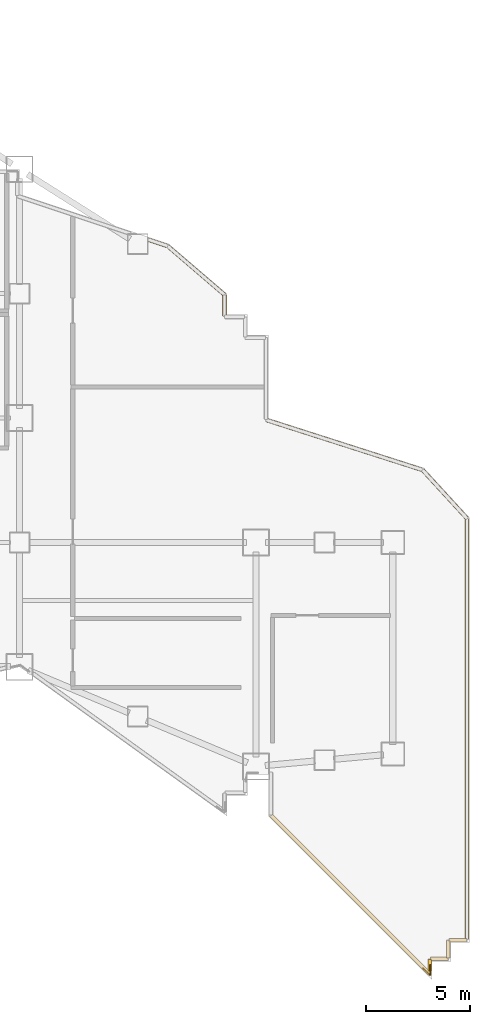
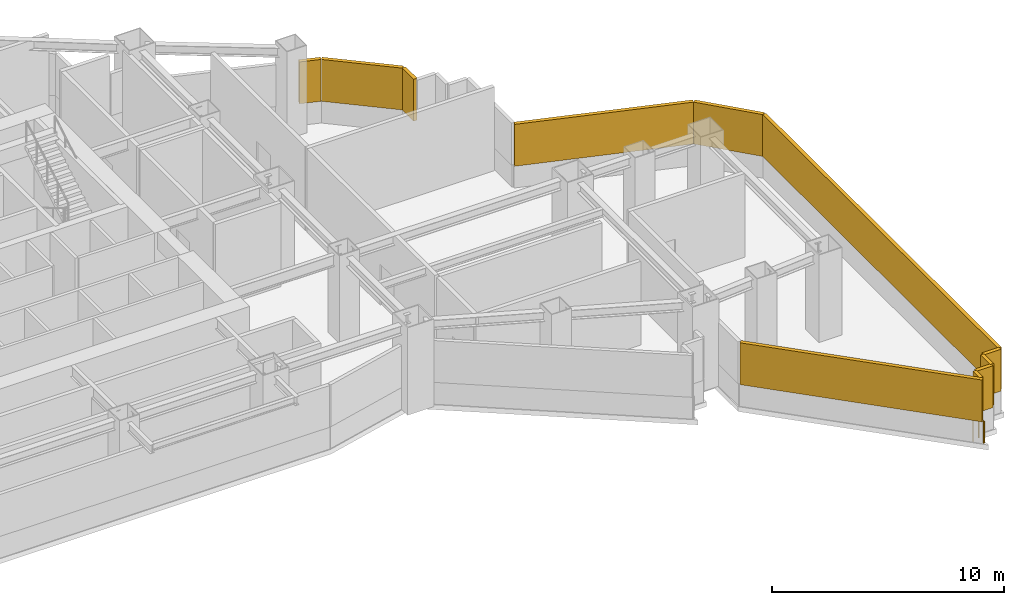
# One storey, part 12 of 12: 11 shading devices, 2 railings.
"""IFC4 building model written with IfcOpenShell, lengths in metres."""

from ifc_helpers import new_model, si_unit, direction, frame, origin, origin_2d, place, context, subcontext, project, spatial, rectangle, circle, extrude, material, type_object, element, save


model = new_model("IFC4")

# Units and contexts
model_context = context("Model", 3, precision=1e-05, world=origin(), true_north=direction((0.0, 1.0)))
body_context = subcontext(model_context, "Body", "Model", "MODEL_VIEW")
ifc_project = project(units=[si_unit("LENGTHUNIT", "METRE"), si_unit("AREAUNIT", "SQUARE_METRE"), si_unit("VOLUMEUNIT", "CUBIC_METRE"), si_unit("PLANEANGLEUNIT", "RADIAN"), si_unit("MASSUNIT", "GRAM", prefix="KILO")], contexts=[model_context])

# Site, building, storey
site_placement = place(None, origin())
site = spatial("IfcSite", under=ifc_project, at=site_placement, CompositionType="ELEMENT")
building_placement = place(site_placement, origin())
building = spatial("IfcBuilding", under=site, at=building_placement, Name="Haolan Belvedere Tower", CompositionType="ELEMENT")
storey_placement = place(building_placement, frame((0.0, 0.0, 43.0)))
storey = spatial("IfcBuildingStorey", under=building, at=storey_placement, Name="L10", CompositionType="ELEMENT", Elevation=43.0)

# Railings
ifc_material_1 = material(Name="Galvanised powder-coated steel guardrail", Category="steel")
railing_type = type_object("IfcRailingType", Name="RL-REF-GRD-1150", PredefinedType="GUARDRAIL", material=ifc_material_1)
railing_1_placement = place(storey_placement, frame((72.610107421875, 7.21240234375, 0.0)))
element("IfcRailing", 1, at=railing_1_placement, inside=storey, type_object=railing_type, Name="L10 refuge corner safety guardrail 8A", PredefinedType="GUARDRAIL", context=body_context, shape_type="SweptSolid", body=[
    extrude(circle(Radius=0.02392578125, at=origin_2d()), frame((0.0, 0.0, 1.1259765625), z_axis=(0.0, -1.0, 0.0), x_axis=(1.0, 0.0, 0.0)), (0.0, 0.0, 1.0), 0.469970703125),
    extrude(circle(Radius=0.02099609375, at=origin_2d()), origin(), (0.0, 0.0, 1.0), 1.101806640625),
    extrude(circle(Radius=0.02099609375, at=origin_2d()), frame((0.0, -0.469970703125, 0.0)), (0.0, 0.0, 1.0), 1.101806640625),
])
railing_2_placement = place(storey_placement, frame((72.5888671875, 6.733642578125, 0.0)))
element("IfcRailing", 2, at=railing_2_placement, inside=storey, type_object=railing_type, Name="L10 refuge corner safety guardrail 8B", PredefinedType="GUARDRAIL", context=body_context, shape_type="SweptSolid", body=[
    extrude(circle(Radius=0.02392578125, at=origin_2d()), frame((0.0, 0.0, 1.1259765625), z_axis=(-0.707106781187, 0.707106781187, 0.0), x_axis=(-0.707106781187, -0.707106781187, 0.0)), (0.0, 0.0, 1.0), 0.469970703125),
    extrude(circle(Radius=0.02099609375, at=origin_2d()), origin(), (0.0, 0.0, 1.0), 1.101806640625),
    extrude(circle(Radius=0.02099609375, at=origin_2d()), frame((-0.332275390625, 0.332275390625, 0.0)), (0.0, 0.0, 1.0), 1.101806640625),
])

# Shading devices
ifc_material_2 = material(Name="Anodised champagne-silver aluminium 6063-T6", Category="aluminium")
shading_device_type = type_object("IfcShadingDeviceType", Name="SHD-LOUV-180", PredefinedType="JALOUSIE", material=ifc_material_2)
shading_device_1_placement = place(storey_placement, frame((68.75, 10.6171875, 1.14990234375), z_axis=(0.0, 0.0, 1.0), x_axis=(0.706884602149, -0.707328890435, 0.0)))
element("IfcShadingDevice", 3, at=shading_device_1_placement, inside=storey, type_object=shading_device_type, Name="L10 refuge storm-proof louvre bank 21.1", PredefinedType="JALOUSIE", context=body_context, shape_type="SweptSolid", body=[
    extrude(rectangle(XDim=10.79638671875, YDim=0.179931640625, at=origin_2d()), origin(), (0.0, 0.0, 1.0), 2.199951171875),
])
shading_device_2_placement = place(storey_placement, frame((72.580078125, 7.2099609375, 1.14990234375), z_axis=(0.0, 0.0, 1.0), x_axis=(0.0, 1.0, 0.0)))
element("IfcShadingDevice", 4, at=shading_device_2_placement, inside=storey, type_object=shading_device_type, Name="L10 refuge storm-proof louvre bank 22.1", PredefinedType="JALOUSIE", context=body_context, shape_type="SweptSolid", body=[
    extrude(rectangle(XDim=0.5703125, YDim=0.179931640625, at=origin_2d()), origin(), (0.0, 0.0, 1.0), 2.199951171875),
])
for number, where, z_axis, x_axis, name in (
    (5, (73.044921875, 7.514892578125, 1.14990234375), (0.0, 0.0, 1.0), (1.0, 0.0, 0.0), "L10 refuge storm-proof louvre bank 23.1"),
    (6, (73.47998046875, 7.97998046875, 1.14990234375), (0.0, 0.0, 1.0), (0.0, 1.0, 0.0), "L10 refuge storm-proof louvre bank 24.1"),
    (7, (73.945068359375, 8.4150390625, 1.14990234375), (0.0, 0.0, 1.0), (1.0, 0.0, 0.0), "L10 refuge storm-proof louvre bank 25.1"),
):
    element("IfcShadingDevice", number, at=place(storey_placement, frame(where, z_axis=z_axis, x_axis=x_axis)), inside=storey, type_object=shading_device_type, Name=name, PredefinedType="JALOUSIE", context=body_context, shape_type="SweptSolid", body=[
        extrude(rectangle(XDim=0.830078125, YDim=0.179931640625, at=origin_2d()), origin(), (0.0, 0.0, 1.0), 2.199951171875),
    ])
shading_device_3_placement = place(storey_placement, frame((74.3798828125, 18.59912109375, 1.14990234375), z_axis=(0.0, 0.0, 1.0), x_axis=(0.0, 1.0, 0.0)))
element("IfcShadingDevice", 8, at=shading_device_3_placement, inside=storey, type_object=shading_device_type, Name="L10 refuge storm-proof louvre bank 26.1", PredefinedType="JALOUSIE", context=body_context, shape_type="SweptSolid", body=[
    extrude(rectangle(XDim=20.268310546875, YDim=0.179931640625, at=origin_2d()), origin(), (0.0, 0.0, 1.0), 2.199951171875),
])
shading_device_4_placement = place(storey_placement, frame((73.306396484375, 29.92431640625, 1.14990234375), z_axis=(0.0, 0.0, 1.0), x_axis=(-0.675718876495, 0.737159412846, 0.0)))
element("IfcShadingDevice", 9, at=shading_device_4_placement, inside=storey, type_object=shading_device_type, Name="L10 refuge storm-proof louvre bank 27.1", PredefinedType="JALOUSIE", context=body_context, shape_type="SweptSolid", body=[
    extrude(rectangle(XDim=3.13720703125, YDim=0.179931640625, at=origin_2d()), origin(), (0.0, 0.0, 1.0), 2.199951171875),
])
shading_device_5_placement = place(storey_placement, frame((68.45654296875, 32.303955078125, 1.14990234375), z_axis=(0.0, 0.0, 1.0), x_axis=(-0.952422400446, 0.304781185655, 0.0)))
element("IfcShadingDevice", 10, at=shading_device_5_placement, inside=storey, type_object=shading_device_type, Name="L10 refuge storm-proof louvre bank 28.1", PredefinedType="JALOUSIE", context=body_context, shape_type="SweptSolid", body=[
    extrude(rectangle(XDim=7.890380859375, YDim=0.179931640625, at=origin_2d()), origin(), (0.0, 0.0, 1.0), 2.199951171875),
])
shading_device_6_placement = place(storey_placement, frame((62.679931640625, 39.02734375, 1.14990234375), z_axis=(0.0, 0.0, 1.0), x_axis=(0.0, 1.0, 0.0)))
element("IfcShadingDevice", 11, at=shading_device_6_placement, inside=storey, type_object=shading_device_type, Name="L10 refuge storm-proof louvre bank 33.1", PredefinedType="JALOUSIE", context=body_context, shape_type="SweptSolid", body=[
    extrude(rectangle(XDim=0.994873046875, YDim=0.179931640625, at=origin_2d()), origin(), (0.0, 0.0, 1.0), 2.199951171875),
])
shading_device_7_placement = place(storey_placement, frame((61.309814453125, 40.71923828125, 1.14990234375), z_axis=(0.0, 0.0, 1.0), x_axis=(-0.759248590567, 0.650800720438, 0.0)))
element("IfcShadingDevice", 12, at=shading_device_7_placement, inside=storey, type_object=shading_device_type, Name="L10 refuge storm-proof louvre bank 34.1", PredefinedType="JALOUSIE", context=body_context, shape_type="SweptSolid", body=[
    extrude(rectangle(XDim=3.569091796875, YDim=0.179931640625, at=origin_2d()), origin(), (0.0, 0.0, 1.0), 2.199951171875),
])
shading_device_8_placement = place(storey_placement, frame((59.4658203125, 42.051513671875, 1.14990234375), z_axis=(0.0, 0.0, 1.0), x_axis=(-0.948694053476, 0.316195497912, 0.0)))
element("IfcShadingDevice", 13, at=shading_device_8_placement, inside=storey, type_object=shading_device_type, Name="L10 refuge storm-proof louvre bank 35.1", PredefinedType="JALOUSIE", context=body_context, shape_type="SweptSolid", body=[
    extrude(rectangle(XDim=0.958984375, YDim=0.179931640625, at=origin_2d()), origin(), (0.0, 0.0, 1.0), 2.199951171875),
])

save(model, "model.ifc")
